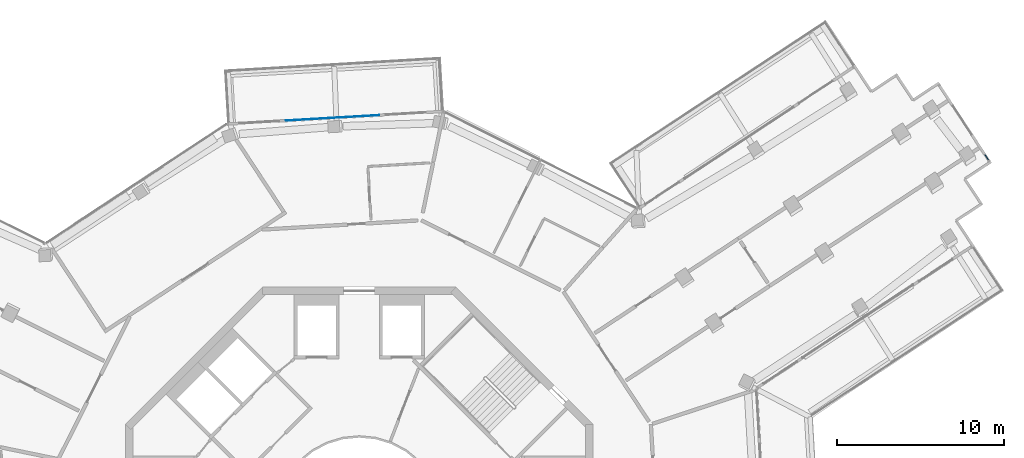
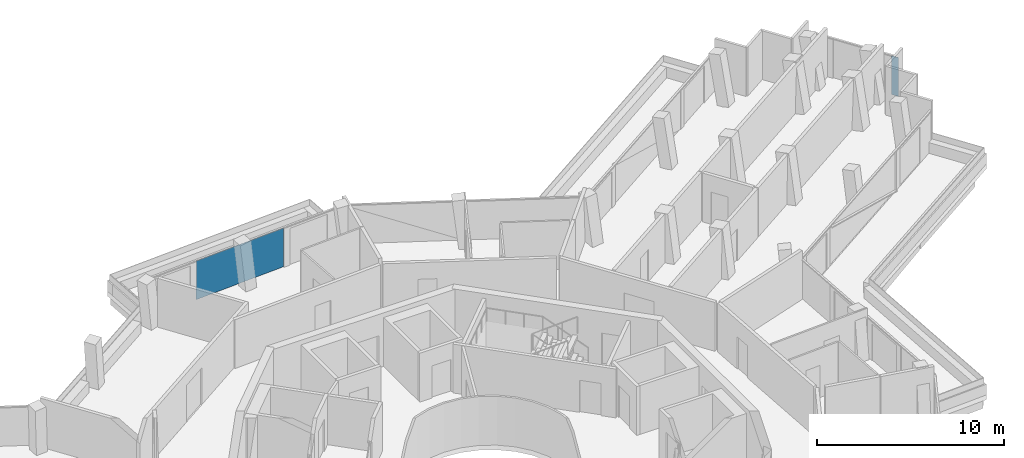
# One storey, part 16 of 26: 2 plates, 2 elements without a shape of their own.
"""IFC4 building model written with IfcOpenShell, lengths in metres."""

from ifc_helpers import new_model, si_unit, direction, frame, origin, origin_2d, place, context, subcontext, project, spatial, rectangle, extrude, material, layer, layer_set, type_object, element, aggregate, save


model = new_model("IFC4")

# Units and contexts
model_context = context("Model", 3, precision=1e-05, world=origin(), true_north=direction((0.0, 1.0)))
body_context = subcontext(model_context, "Body", "Model", "MODEL_VIEW")
ifc_project = project(units=[si_unit("LENGTHUNIT", "METRE"), si_unit("AREAUNIT", "SQUARE_METRE"), si_unit("VOLUMEUNIT", "CUBIC_METRE"), si_unit("PLANEANGLEUNIT", "RADIAN"), si_unit("MASSUNIT", "GRAM", prefix="KILO")], contexts=[model_context])

# Site, building, storey
site_placement = place(None, origin())
site = spatial("IfcSite", under=ifc_project, at=site_placement, CompositionType="ELEMENT")
building_placement = place(site_placement, origin())
building = spatial("IfcBuilding", under=site, at=building_placement, Name="Verdalira Terraces Hotel", CompositionType="ELEMENT")
storey_placement = place(building_placement, frame((0.0, 0.0, 291.5)))
storey = spatial("IfcBuildingStorey", under=building, at=storey_placement, Name="L72", CompositionType="ELEMENT", Elevation=291.5)

# Curtain wall, plate
ifc_material_1 = material(Name="Clear glass", Category="glass")
ifc_layer_1 = layer(ifc_material_1, 0.14990234375)
ifc_layer_set_1 = layer_set([ifc_layer_1], Name="CW1 curtain wall")
curtain_wall_type_1 = type_object("IfcCurtainWallType", Name="CW1 curtain wall", PredefinedType="NOTDEFINED", material=ifc_layer_set_1)
curtain_wall_1_placement = place(storey_placement, origin())
curtain_wall_1 = element("IfcCurtainWall", 1, at=curtain_wall_1_placement, inside=storey, type_object=curtain_wall_type_1, Name="CW1 curtain wall L72 edge 40", PredefinedType="NOTDEFINED")
ifc_material_2 = material(Name="Clear glass", Category="glass")
ifc_layer_2 = layer(ifc_material_2, 0.028076171875)
ifc_layer_set_2 = layer_set([ifc_layer_2], Name="CW1 glass unit 28")
plate_type_1 = type_object("IfcPlateType", Name="CW1 glass unit 28", PredefinedType="CURTAIN_PANEL", material=ifc_layer_set_2)
plate_1_placement = place(storey_placement, frame((-1.596924, 24.131104, 0.0), z_axis=(0.0, 0.0, 1.0), x_axis=(-0.998280988, -0.058609456, 0.0)))
plate_1 = element("IfcPlate", 2, at=plate_1_placement, type_object=plate_type_1, Name="CW1 glass unit", PredefinedType="CURTAIN_PANEL", context=body_context, shape_type="SweptSolid", body=[
    extrude(rectangle(XDim=5.586182, YDim=0.028076, at=origin_2d()), origin(), (0.0, 0.0, 1.0), 2.524902),
])
aggregate(curtain_wall_1, [plate_1])

ifc_material_3 = material(Name="Clear glass", Category="glass")
ifc_layer_3 = layer(ifc_material_3, 0.14990234375)
ifc_layer_set_3 = layer_set([ifc_layer_3], Name="CW3 curtain wall")
curtain_wall_type_2 = type_object("IfcCurtainWallType", Name="CW3 curtain wall", PredefinedType="NOTDEFINED", material=ifc_layer_set_3)
curtain_wall_2_placement = place(storey_placement, origin())
curtain_wall_2 = element("IfcCurtainWall", 3, at=curtain_wall_2_placement, inside=storey, type_object=curtain_wall_type_2, Name="CW3 curtain wall L72 edge 33", PredefinedType="NOTDEFINED")
ifc_material_4 = material(Name="Clear glass", Category="glass")
ifc_layer_4 = layer(ifc_material_4, 0.035888671875)
ifc_layer_set_4 = layer_set([ifc_layer_4], Name="CW3 glass unit 36")
plate_type_2 = type_object("IfcPlateType", Name="CW3 glass unit 36", PredefinedType="CURTAIN_PANEL", material=ifc_layer_set_4)
plate_2_placement = place(storey_placement, frame((37.549561, 21.764404, 0.0), z_axis=(0.0, 0.0, 1.0), x_axis=(-0.549897772, 0.835231968, 0.0)))
plate_2 = element("IfcPlate", 4, at=plate_2_placement, type_object=plate_type_2, Name="CW3 glass unit", PredefinedType="CURTAIN_PANEL", context=body_context, shape_type="SweptSolid", body=[
    extrude(rectangle(XDim=0.399902, YDim=0.035889, at=origin_2d()), origin(), (0.0, 0.0, 1.0), 2.524902),
])
aggregate(curtain_wall_2, [plate_2])

save(model, "model.ifc")
